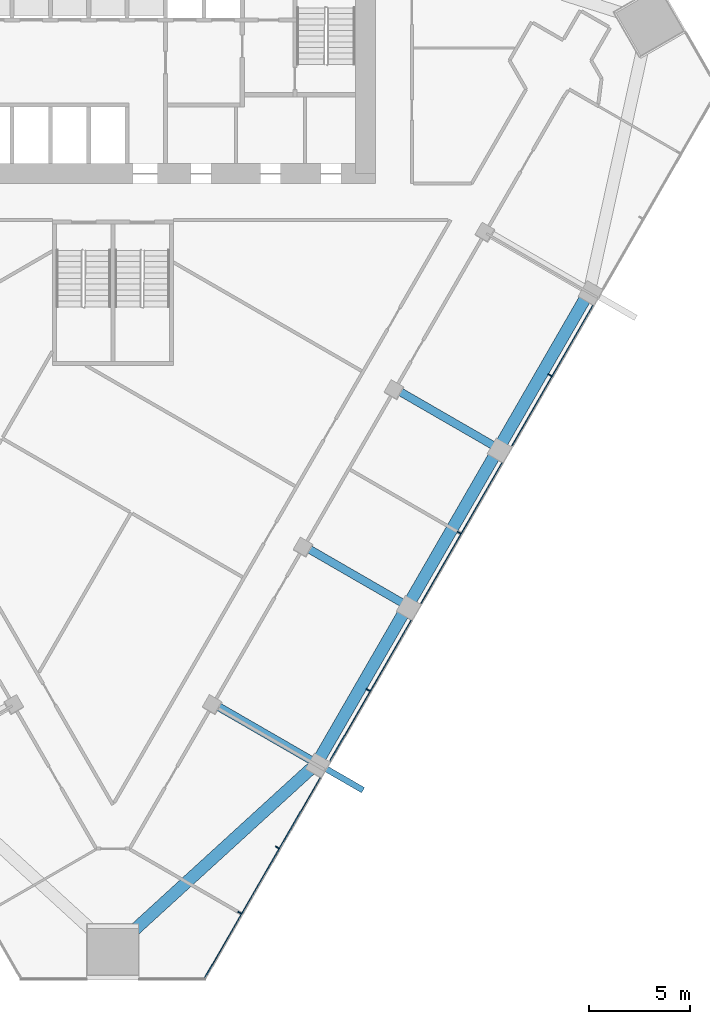
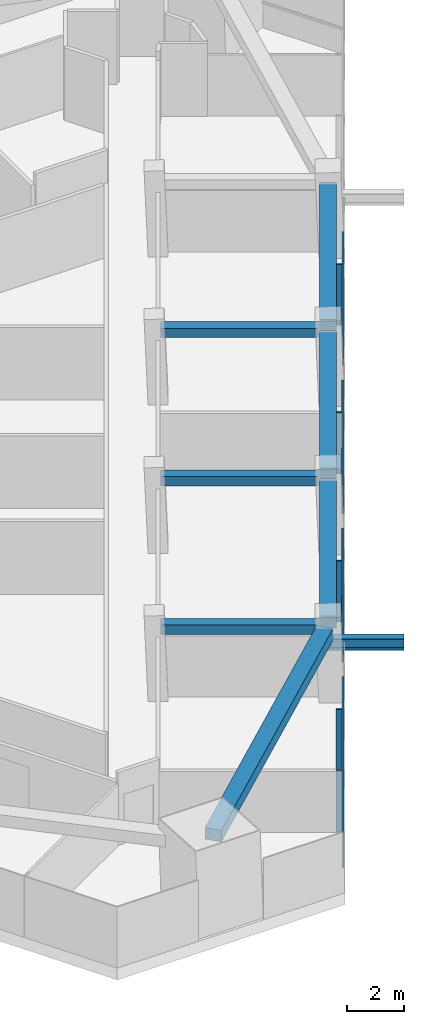
# One storey, part 4 of 13: 10 members, 7 beams, 1 element without a shape of its own.
"""IFC4 building model written with IfcOpenShell, lengths in metres."""

from ifc_helpers import new_model, si_unit, direction, frame, origin, origin_2d, place, context, subcontext, project, spatial, rectangle, i_section, extrude, material, layer, layer_set, material_profile, profile_set, type_object, element, aggregate, save


model = new_model("IFC4")

# Units and contexts
model_context = context("Model", 3, precision=1e-05, world=origin(), true_north=direction((0.0, 1.0)))
body_context = subcontext(model_context, "Body", "Model", "MODEL_VIEW")
ifc_project = project(units=[si_unit("LENGTHUNIT", "METRE"), si_unit("AREAUNIT", "SQUARE_METRE"), si_unit("VOLUMEUNIT", "CUBIC_METRE"), si_unit("PLANEANGLEUNIT", "RADIAN"), si_unit("MASSUNIT", "GRAM", prefix="KILO")], contexts=[model_context])

# Site, building, storey
site_placement = place(None, origin())
site = spatial("IfcSite", under=ifc_project, at=site_placement, CompositionType="ELEMENT")
building_placement = place(site_placement, origin())
building = spatial("IfcBuilding", under=site, at=building_placement, Name="Altiplano Prism Tower", CompositionType="ELEMENT")
storey_placement = place(building_placement, frame((0.0, 0.0, 66.60009765625)))
storey = spatial("IfcBuildingStorey", under=building, at=storey_placement, Name="L16", CompositionType="ELEMENT", Elevation=66.60009765625)

# Member
ifc_material_1 = material(Name="Steel S355", Category="steel")
ifc_material_profile_1 = material_profile(ifc_material_1, i_section(OverallWidth=0.300048828125, OverallDepth=0.5, WebThickness=0.014404296875, FlangeThickness=0.028076171875, FilletRadius=0.027099609375, at=origin_2d()), Name="Brace bracket HEB 500")
ifc_profile_set_1 = profile_set([ifc_material_profile_1], Name="Steel S355")
member_type_1 = type_object("IfcMemberType", Name="Brace bracket HEB 500", PredefinedType="STRUT", material=ifc_profile_set_1)
member_1_placement = place(storey_placement, frame((95.0869140625, 63.6962890625, 2.21728515625), z_axis=(0.865989200783, -0.500062700197, 0.0), x_axis=(0.500062700197, 0.865989200783, 0.0)))
element("IfcMember", 1, at=member_1_placement, inside=storey, type_object=member_type_1, Name="Brace bracket 2.70.2", PredefinedType="STRUT", context=body_context, shape_type="SweptSolid", body=[
    extrude(i_section(OverallWidth=0.300048828125, OverallDepth=0.5, WebThickness=0.014404296875, FlangeThickness=0.028076171875, FilletRadius=0.027099609375, at=origin_2d()), origin(), (0.0, 0.0, 1.0), 2.650146484375),
])

# Curtain wall, members
ifc_material_2 = material(Name="Aluminium and glass", Category="aluminium")
ifc_layer = layer(ifc_material_2, 0.303955078125)
ifc_layer_set = layer_set([ifc_layer], Name="Aluminium and glass")
curtain_wall_type = type_object("IfcCurtainWallType", Name="CW2 lounge-band unitised glazing", PredefinedType="NOTDEFINED", material=ifc_layer_set)
curtain_wall_placement = place(storey_placement, origin())
curtain_wall = element("IfcCurtainWall", 2, at=curtain_wall_placement, inside=storey, type_object=curtain_wall_type, Name="CW2 curtain wall south-east face L16", PredefinedType="NOTDEFINED")
ifc_material_3 = material(Name="Aluminium", Category="aluminium")
ifc_material_profile_2 = material_profile(ifc_material_3, rectangle(XDim=0.199951171875, YDim=0.06005859375, at=origin_2d()), Name="CW2 mullion 60 x 200")
ifc_profile_set_2 = profile_set([ifc_material_profile_2], Name="Aluminium")
member_type_2 = type_object("IfcMemberType", Name="CW2 mullion 60 x 200", PredefinedType="MULLION", material=ifc_profile_set_2)
member_2_placement = place(storey_placement, frame((91.264892578125, 56.307373046875, 0.0), z_axis=(0.0, 0.0, 1.0), x_axis=(-0.866025408994, 0.499999990976, 0.0)))
member_2 = element("IfcMember", 3, at=member_2_placement, type_object=member_type_2, Name="CW2 mullion", PredefinedType="MULLION", context=body_context, shape_type="SweptSolid", body=[
    extrude(rectangle(XDim=0.199951171875, YDim=0.06005859375, at=origin_2d()), origin(), (0.0, 0.0, 1.0), 2.599853515625),
])
member_3_placement = place(storey_placement, frame((93.1298828125, 59.53759765625, 0.0), z_axis=(0.0, 0.0, 1.0), x_axis=(-0.866025408994, 0.499999990976, 0.0)))
member_3 = element("IfcMember", 4, at=member_3_placement, type_object=member_type_2, Name="CW2 mullion", PredefinedType="MULLION", context=body_context, shape_type="SweptSolid", body=[
    extrude(rectangle(XDim=0.199951171875, YDim=0.06005859375, at=origin_2d()), origin(), (0.0, 0.0, 1.0), 2.599853515625),
])
member_4_placement = place(storey_placement, frame((97.6298828125, 67.331787109375, 0.0), z_axis=(0.0, 0.0, 1.0), x_axis=(-0.866025408994, 0.499999990976, 0.0)))
member_4 = element("IfcMember", 5, at=member_4_placement, type_object=member_type_2, Name="CW2 mullion", PredefinedType="MULLION", context=body_context, shape_type="SweptSolid", body=[
    extrude(rectangle(XDim=0.199951171875, YDim=0.06005859375, at=origin_2d()), origin(), (0.0, 0.0, 1.0), 2.599853515625),
])
member_5_placement = place(storey_placement, frame((102.1298828125, 75.1259765625, 0.0), z_axis=(0.0, 0.0, 1.0), x_axis=(-0.866025408994, 0.499999990976, 0.0)))
member_5 = element("IfcMember", 6, at=member_5_placement, type_object=member_type_2, Name="CW2 mullion", PredefinedType="MULLION", context=body_context, shape_type="SweptSolid", body=[
    extrude(rectangle(XDim=0.199951171875, YDim=0.06005859375, at=origin_2d()), origin(), (0.0, 0.0, 1.0), 2.599853515625),
])
member_6_placement = place(storey_placement, frame((106.6298828125, 82.920166015625, 0.0), z_axis=(0.0, 0.0, 1.0), x_axis=(-0.866025408994, 0.499999990976, 0.0)))
member_6 = element("IfcMember", 7, at=member_6_placement, type_object=member_type_2, Name="CW2 mullion", PredefinedType="MULLION", context=body_context, shape_type="SweptSolid", body=[
    extrude(rectangle(XDim=0.199951171875, YDim=0.06005859375, at=origin_2d()), origin(), (0.0, 0.0, 1.0), 2.599853515625),
])
ifc_material_profile_3 = material_profile(ifc_material_3, rectangle(XDim=0.06005859375, YDim=0.080078125, at=origin_2d()), Name="CW2 transom 80 x 60")
ifc_profile_set_3 = profile_set([ifc_material_profile_3], Name="Aluminium")
member_type_3 = type_object("IfcMemberType", Name="CW2 transom 80 x 60", PredefinedType="USERDEFINED", material=ifc_profile_set_3)
member_7_placement = place(storey_placement, frame((89.5126953125, 53.011962890625, 1.099853515625), z_axis=(0.500001557692, 0.866024504448, 0.0), x_axis=(-0.866024504448, 0.500001557692, 0.0)))
member_7 = element("IfcMember", 8, at=member_7_placement, type_object=member_type_3, Name="CW2 transom", ObjectType="TRANSOM", PredefinedType="USERDEFINED", context=body_context, shape_type="SweptSolid", body=[
    extrude(rectangle(XDim=0.06005859375, YDim=0.080078125, at=origin_2d()), origin(), (0.0, 0.0, 1.0), 11.50927734375),
])
member_8_placement = place(storey_placement, frame((95.75732421875, 63.828125, 1.099853515625), z_axis=(0.499999136801, 0.866025902152, 0.0), x_axis=(-0.866025902152, 0.499999136801, 0.0)))
member_8 = element("IfcMember", 9, at=member_8_placement, type_object=member_type_3, Name="CW2 transom", ObjectType="TRANSOM", PredefinedType="USERDEFINED", context=body_context, shape_type="SweptSolid", body=[
    extrude(rectangle(XDim=0.06005859375, YDim=0.080078125, at=origin_2d()), origin(), (0.0, 0.0, 1.0), 8.02001953125),
])
member_9_placement = place(storey_placement, frame((100.25732421875, 71.622314453125, 1.099853515625), z_axis=(0.499999136801, 0.866025902152, 0.0), x_axis=(-0.866025902152, 0.499999136801, 0.0)))
member_9 = element("IfcMember", 10, at=member_9_placement, type_object=member_type_3, Name="CW2 transom", ObjectType="TRANSOM", PredefinedType="USERDEFINED", context=body_context, shape_type="SweptSolid", body=[
    extrude(rectangle(XDim=0.06005859375, YDim=0.080078125, at=origin_2d()), origin(), (0.0, 0.0, 1.0), 8.02001953125),
])
member_10_placement = place(storey_placement, frame((104.75732421875, 79.416748046875, 1.099853515625), z_axis=(0.500012318566, 0.86601829154, 0.0), x_axis=(-0.86601829154, 0.500012318566, 0.0)))
member_10 = element("IfcMember", 11, at=member_10_placement, type_object=member_type_3, Name="CW2 transom", ObjectType="TRANSOM", PredefinedType="USERDEFINED", context=body_context, shape_type="SweptSolid", body=[
    extrude(rectangle(XDim=0.06005859375, YDim=0.080078125, at=origin_2d()), origin(), (0.0, 0.0, 1.0), 8.019775390625),
])
aggregate(curtain_wall, [member_2, member_3, member_7, member_4, member_8, member_5, member_9, member_6, member_10])

# Beams
ifc_material_4 = material(Name="Concrete C60/75", Category="concrete")
ifc_material_profile_4 = material_profile(ifc_material_4, rectangle(XDim=0.60009765625, YDim=0.5, at=origin_2d()), Name="Edge beam 600x500")
ifc_profile_set_4 = profile_set([ifc_material_profile_4], Name="Concrete C60/75")
beam_type_1 = type_object("IfcBeamType", Name="Edge beam 600x500", PredefinedType="SPANDREL", material=ifc_profile_set_4)
beam_placement = place(storey_placement, frame((85.332275390625, 54.788818359375, 2.849853515625), z_axis=(0.738450139671, 0.674308083312, 0.0), x_axis=(-0.674308083312, 0.738450139671, 0.0)))
element("IfcBeam", 12, at=beam_placement, inside=storey, type_object=beam_type_1, Name="Edge beam M1-P21 L17", PredefinedType="SPANDREL", context=body_context, shape_type="SweptSolid", body=[
    extrude(rectangle(XDim=0.60009765625, YDim=0.5, at=origin_2d()), origin(), (0.0, 0.0, 1.0), 12.857421875),
])
for number, where, z_axis, x_axis, name in (
    (13, (95.251953125, 63.98193359375, 2.849853515625), (0.499992746786, 0.866029591389, 0.0), (-0.866029591389, 0.499992746786, 0.0), "Edge beam P21-P22 L17"),
    (14, (99.751953125, 71.776123046875, 2.849853515625), (0.499992746786, 0.866029591389, 0.0), (-0.866029591389, 0.499992746786, 0.0), "Edge beam P22-P23 L17"),
    (15, (104.251953125, 79.570556640625, 2.849853515625), (0.499992746786, 0.866029591389, 0.0), (-0.866029591389, 0.499992746786, 0.0), "Edge beam P23-P24 L17"),
):
    element("IfcBeam", number, at=place(storey_placement, frame(where, z_axis=z_axis, x_axis=x_axis)), inside=storey, type_object=beam_type_1, Name=name, PredefinedType="SPANDREL", context=body_context, shape_type="SweptSolid", body=[
        extrude(rectangle(XDim=0.60009765625, YDim=0.5, at=origin_2d()), origin(), (0.0, 0.0, 1.0), 8.33984375),
    ])
ifc_material_profile_5 = material_profile(ifc_material_4, rectangle(XDim=0.39990234375, YDim=0.39990234375, at=origin_2d()), Name="Tie beam 400x400")
ifc_profile_set_5 = profile_set([ifc_material_profile_5], Name="Concrete C60/75")
beam_type_2 = type_object("IfcBeamType", Name="Tie beam 400x400", PredefinedType="BEAM", material=ifc_profile_set_5)
for number, where, z_axis, x_axis, name in (
    (16, (90.046630859375, 66.606201171875, 2.89990234375), (0.866042665983, -0.499970099802, 0.0), (0.499970099802, 0.866042665983, 0.0), "Tie beam I21 L17"),
    (17, (94.546630859375, 74.400390625, 2.89990234375), (0.866042665983, -0.499970099802, 0.0), (0.499970099802, 0.866042665983, 0.0), "Tie beam I22 L17"),
    (18, (99.046630859375, 82.194580078125, 2.89990234375), (0.866042665983, -0.499970099802, 0.0), (0.499970099802, 0.866042665983, 0.0), "Tie beam I23 L17"),
):
    element("IfcBeam", number, at=place(storey_placement, frame(where, z_axis=z_axis, x_axis=x_axis)), inside=storey, type_object=beam_type_2, Name=name, PredefinedType="BEAM", context=body_context, shape_type="SweptSolid", body=[
        extrude(rectangle(XDim=0.39990234375, YDim=0.39990234375, at=origin_2d()), origin(), (0.0, 0.0, 1.0), 5.489990234375),
    ])

save(model, "model.ifc")
